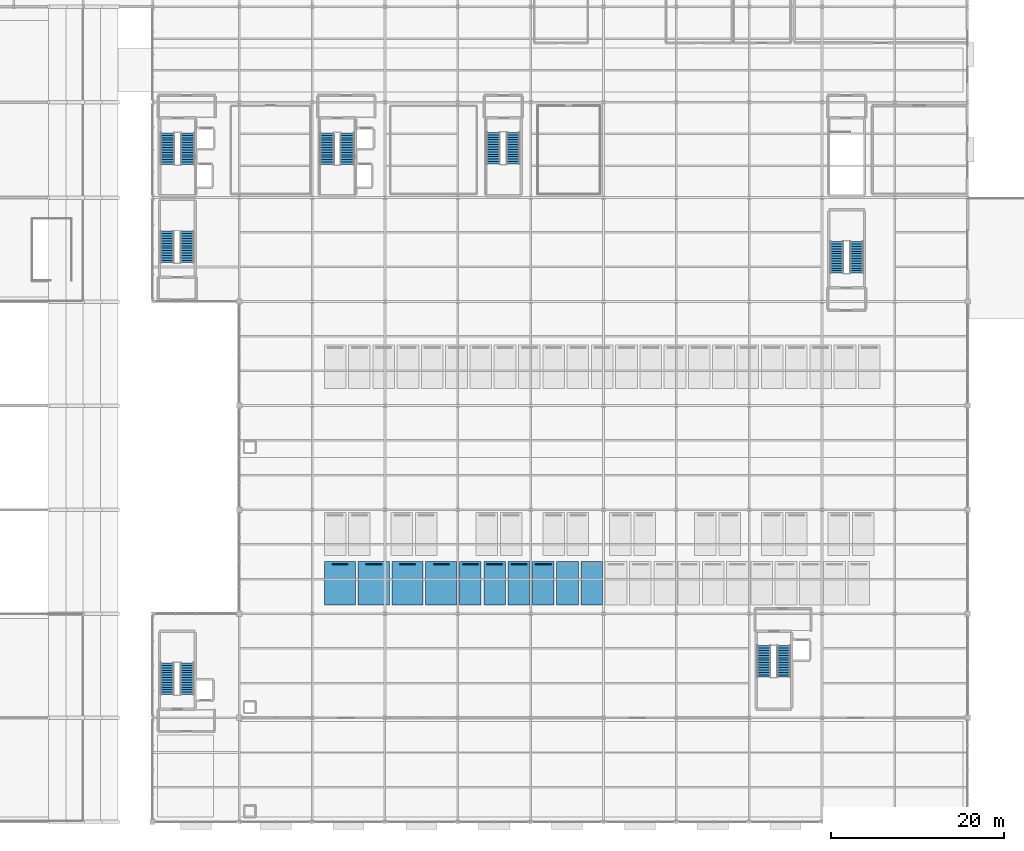
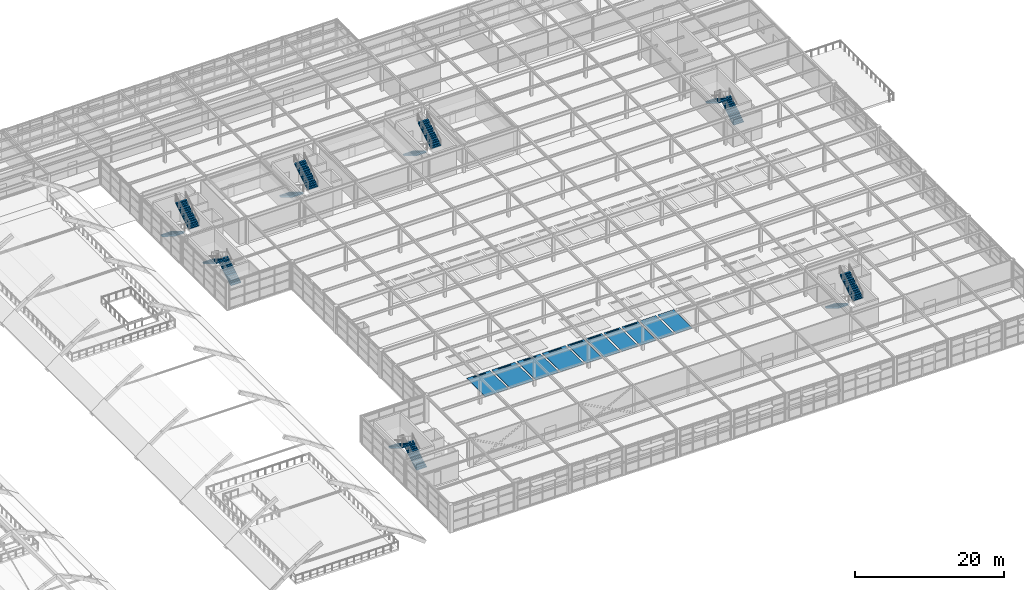
# One storey, part 69 of 82: 18 discrete accessories, 14 stair flights, 7 elements without a shape of their own.
"""IFC4 building model written with IfcOpenShell, lengths in metres."""

from ifc_helpers import new_model, si_unit, direction, frame, origin, origin_2d, place, context, subcontext, project, spatial, polyline, rectangle, outline, extrude, material, type_object, element, aggregate, save


model = new_model("IFC4")

# Units and contexts
model_context = context("Model", 3, precision=1e-05, world=origin(), true_north=direction((0.0, 1.0)))
body_context = subcontext(model_context, "Body", "Model", "MODEL_VIEW")
ifc_project = project(units=[si_unit("LENGTHUNIT", "METRE"), si_unit("AREAUNIT", "SQUARE_METRE"), si_unit("VOLUMEUNIT", "CUBIC_METRE"), si_unit("PLANEANGLEUNIT", "RADIAN"), si_unit("MASSUNIT", "GRAM", prefix="KILO")], contexts=[model_context])

# Site, building, storey
site_placement = place(None, origin())
site = spatial("IfcSite", under=ifc_project, at=site_placement, CompositionType="ELEMENT")
building_placement = place(site_placement, origin())
building = spatial("IfcBuilding", under=site, at=building_placement, Name="Sitalva Quay Ferry Terminal", CompositionType="ELEMENT")
storey_placement = place(building_placement, frame((0.0, 0.0, 5.39990234375)))
storey = spatial("IfcBuildingStorey", under=building, at=storey_placement, Name="L02", CompositionType="ELEMENT", Elevation=5.39990234375)

# Stair, stair flights
ifc_material_1 = material(Name="Concrete C35/45", Category="concrete")
stair_type_1 = type_object("IfcStairType", Name="Stair_CoreDogLeg_1400", PredefinedType="HALF_TURN_STAIR", material=ifc_material_1)
stair_1_placement = place(storey_placement, origin())
stair_1 = element("IfcStair", 1, at=stair_1_placement, inside=storey, type_object=stair_type_1, Name="L02 Core C4 stair ST-04", PredefinedType="HALF_TURN_STAIR")
ifc_material_2 = material(Name="Concrete C35/45", Category="concrete")
stair_flight_type_1 = type_object("IfcStairFlightType", Name="Stair_CoreDogLeg_1400_Flight", PredefinedType="STRAIGHT", material=ifc_material_2)
stair_flight_1_placement = place(storey_placement, frame((113.31005859375, 85.510009765625, 0.0), z_axis=(0.0, 0.0, 1.0), x_axis=(0.0, -1.0, 0.0)))
stair_flight_1 = element("IfcStairFlight", 2, at=stair_flight_1_placement, type_object=stair_flight_type_1, Name="ST-04 flight 1", NumberOfRisers=14, NumberOfTreads=13, PredefinedType="STRAIGHT", RiserHeight=0.171428571, TreadLength=0.28, context=body_context, shape_type="SweptSolid", body=[
    extrude(outline(polyline([(0.0, 0.0), (0.0, 0.17138671875), (0.280029296875, 0.17138671875), (0.280029296875, 0.3427734375), (0.56005859375, 0.3427734375), (0.56005859375, 0.514404296875), (0.840087890625, 0.514404296875), (0.840087890625, 0.685791015625), (1.1201171875, 0.685791015625), (1.1201171875, 0.857177734375), (1.39990234375, 0.857177734375), (1.39990234375, 1.028564453125), (1.679931640625, 1.028564453125), (1.679931640625, 1.199951171875), (1.9599609375, 1.199951171875), (1.9599609375, 1.371337890625), (2.239990234375, 1.371337890625), (2.239990234375, 1.54296875), (2.52001953125, 1.54296875), (2.52001953125, 1.71435546875), (2.800048828125, 1.71435546875), (2.800048828125, 1.8857421875), (3.080078125, 1.8857421875), (3.080078125, 2.05712890625), (3.360107421875, 2.05712890625), (3.360107421875, 2.228515625), (3.639892578125, 2.228515625), (3.639892578125, 2.39990234375), (3.639892578125, 2.017578125), (3.404541015625, 1.87353515625), (3.169189453125, 1.729248046875), (2.933837890625, 1.585205078125), (2.698486328125, 1.441162109375), (2.463134765625, 1.297119140625), (2.227783203125, 1.15283203125), (1.9921875, 1.0087890625), (1.7568359375, 0.86474609375), (1.521484375, 0.720458984375), (1.2861328125, 0.576416015625), (1.05078125, 0.432373046875), (0.8154296875, 0.288330078125), (0.580078125, 0.14404296875), (0.344482421875, 0.0), (0.0, 0.0)])), frame((0.0, 0.780029296875, 0.0), z_axis=(0.0, -1.0, 0.0), x_axis=(1.0, 0.0, 0.0)), (0.0, 0.0, 1.0), 1.56005859375),
])
stair_flight_2_placement = place(storey_placement, frame((115.590087890625, 81.8701171875, 2.400146484375), z_axis=(0.0, 0.0, 1.0), x_axis=(0.0, 1.0, 0.0)))
stair_flight_2 = element("IfcStairFlight", 3, at=stair_flight_2_placement, type_object=stair_flight_type_1, Name="ST-04 flight 2", NumberOfRisers=14, NumberOfTreads=13, PredefinedType="STRAIGHT", RiserHeight=0.171428571, TreadLength=0.28, context=body_context, shape_type="SweptSolid", body=[
    extrude(outline(polyline([(0.0, 0.0), (0.0, 0.17138671875), (0.280029296875, 0.17138671875), (0.280029296875, 0.3427734375), (0.56005859375, 0.3427734375), (0.56005859375, 0.514404296875), (0.840087890625, 0.514404296875), (0.840087890625, 0.685791015625), (1.1201171875, 0.685791015625), (1.1201171875, 0.857177734375), (1.39990234375, 0.857177734375), (1.39990234375, 1.028564453125), (1.679931640625, 1.028564453125), (1.679931640625, 1.199951171875), (1.9599609375, 1.199951171875), (1.9599609375, 1.371337890625), (2.239990234375, 1.371337890625), (2.239990234375, 1.54296875), (2.52001953125, 1.54296875), (2.52001953125, 1.71435546875), (2.800048828125, 1.71435546875), (2.800048828125, 1.8857421875), (3.080078125, 1.8857421875), (3.080078125, 2.05712890625), (3.360107421875, 2.05712890625), (3.360107421875, 2.228515625), (3.639892578125, 2.228515625), (3.639892578125, 2.39990234375), (3.639892578125, 2.017578125), (3.404541015625, 1.87353515625), (3.169189453125, 1.729248046875), (2.933837890625, 1.585205078125), (2.698486328125, 1.441162109375), (2.463134765625, 1.297119140625), (2.227783203125, 1.15283203125), (1.9921875, 1.0087890625), (1.7568359375, 0.86474609375), (1.521484375, 0.720458984375), (1.2861328125, 0.576416015625), (1.05078125, 0.432373046875), (0.8154296875, 0.288330078125), (0.580078125, 0.14404296875), (0.344482421875, 0.0), (0.0, 0.0)])), frame((0.0, 0.780029296875, 0.0), z_axis=(0.0, -1.0, 0.0), x_axis=(1.0, 0.0, 0.0)), (0.0, 0.0, 1.0), 1.56005859375),
])
aggregate(stair_1, [stair_flight_1, stair_flight_2])

stair_2_placement = place(storey_placement, origin())
stair_2 = element("IfcStair", 4, at=stair_2_placement, inside=storey, type_object=stair_type_1, Name="L02 Core C6 stair ST-06", PredefinedType="HALF_TURN_STAIR")
stair_flight_3_placement = place(storey_placement, frame((78.0, 20.679931640625, 0.0), z_axis=(0.0, 0.0, 1.0), x_axis=(0.0, 1.0, 0.0)))
stair_flight_3 = element("IfcStairFlight", 5, at=stair_flight_3_placement, type_object=stair_flight_type_1, Name="ST-06 flight 1", NumberOfRisers=14, NumberOfTreads=13, PredefinedType="STRAIGHT", RiserHeight=0.171428571, TreadLength=0.28, context=body_context, shape_type="SweptSolid", body=[
    extrude(outline(polyline([(0.0, 0.0), (0.0, 0.17138671875), (0.280029296875, 0.17138671875), (0.280029296875, 0.3427734375), (0.56005859375, 0.3427734375), (0.56005859375, 0.514404296875), (0.840087890625, 0.514404296875), (0.840087890625, 0.685791015625), (1.1201171875, 0.685791015625), (1.1201171875, 0.857177734375), (1.39990234375, 0.857177734375), (1.39990234375, 1.028564453125), (1.679931640625, 1.028564453125), (1.679931640625, 1.199951171875), (1.9599609375, 1.199951171875), (1.9599609375, 1.371337890625), (2.239990234375, 1.371337890625), (2.239990234375, 1.54296875), (2.52001953125, 1.54296875), (2.52001953125, 1.71435546875), (2.800048828125, 1.71435546875), (2.800048828125, 1.8857421875), (3.080078125, 1.8857421875), (3.080078125, 2.05712890625), (3.360107421875, 2.05712890625), (3.360107421875, 2.228515625), (3.639892578125, 2.228515625), (3.639892578125, 2.39990234375), (3.639892578125, 2.017578125), (3.404541015625, 1.87353515625), (3.169189453125, 1.729248046875), (2.933837890625, 1.585205078125), (2.698486328125, 1.441162109375), (2.463134765625, 1.297119140625), (2.227783203125, 1.15283203125), (1.9921875, 1.0087890625), (1.7568359375, 0.86474609375), (1.521484375, 0.720458984375), (1.2861328125, 0.576416015625), (1.05078125, 0.432373046875), (0.8154296875, 0.288330078125), (0.580078125, 0.14404296875), (0.344482421875, 0.0), (0.0, 0.0)])), frame((0.0, 0.780029296875, 0.0), z_axis=(0.0, -1.0, 0.0), x_axis=(1.0, 0.0, 0.0)), (0.0, 0.0, 1.0), 1.56005859375),
])
stair_flight_4_placement = place(storey_placement, frame((75.699951171875, 24.320068359375, 2.400146484375), z_axis=(0.0, 0.0, 1.0), x_axis=(0.0, -1.0, 0.0)))
stair_flight_4 = element("IfcStairFlight", 6, at=stair_flight_4_placement, type_object=stair_flight_type_1, Name="ST-06 flight 2", NumberOfRisers=14, NumberOfTreads=13, PredefinedType="STRAIGHT", RiserHeight=0.171428571, TreadLength=0.28, context=body_context, shape_type="SweptSolid", body=[
    extrude(outline(polyline([(0.0, 0.0), (0.0, 0.17138671875), (0.280029296875, 0.17138671875), (0.280029296875, 0.3427734375), (0.56005859375, 0.3427734375), (0.56005859375, 0.514404296875), (0.840087890625, 0.514404296875), (0.840087890625, 0.685791015625), (1.1201171875, 0.685791015625), (1.1201171875, 0.857177734375), (1.39990234375, 0.857177734375), (1.39990234375, 1.028564453125), (1.679931640625, 1.028564453125), (1.679931640625, 1.199951171875), (1.9599609375, 1.199951171875), (1.9599609375, 1.371337890625), (2.239990234375, 1.371337890625), (2.239990234375, 1.54296875), (2.52001953125, 1.54296875), (2.52001953125, 1.71435546875), (2.800048828125, 1.71435546875), (2.800048828125, 1.8857421875), (3.080078125, 1.8857421875), (3.080078125, 2.05712890625), (3.360107421875, 2.05712890625), (3.360107421875, 2.228515625), (3.639892578125, 2.228515625), (3.639892578125, 2.39990234375), (3.639892578125, 2.017578125), (3.404541015625, 1.87353515625), (3.169189453125, 1.729248046875), (2.933837890625, 1.585205078125), (2.698486328125, 1.441162109375), (2.463134765625, 1.297119140625), (2.227783203125, 1.15283203125), (1.9921875, 1.0087890625), (1.7568359375, 0.86474609375), (1.521484375, 0.720458984375), (1.2861328125, 0.576416015625), (1.05078125, 0.432373046875), (0.8154296875, 0.288330078125), (0.580078125, 0.14404296875), (0.344482421875, 0.0), (0.0, 0.0)])), frame((0.0, 0.780029296875, 0.0), z_axis=(0.0, -1.0, 0.0), x_axis=(1.0, 0.0, 0.0)), (0.0, 0.0, 1.0), 1.56005859375),
])
aggregate(stair_2, [stair_flight_3, stair_flight_4])

stair_3_placement = place(storey_placement, origin())
stair_3 = element("IfcStair", 7, at=stair_3_placement, inside=storey, type_object=stair_type_1, Name="L02 Core C8 stair ST-08", PredefinedType="HALF_TURN_STAIR")
stair_flight_5_placement = place(storey_placement, frame((144.5, 26.320068359375, 0.0), z_axis=(0.0, 0.0, 1.0), x_axis=(0.0, -1.0, 0.0)))
stair_flight_5 = element("IfcStairFlight", 8, at=stair_flight_5_placement, type_object=stair_flight_type_1, Name="ST-08 flight 1", NumberOfRisers=14, NumberOfTreads=13, PredefinedType="STRAIGHT", RiserHeight=0.171428571, TreadLength=0.28, context=body_context, shape_type="SweptSolid", body=[
    extrude(outline(polyline([(0.0, 0.0), (0.0, 0.17138671875), (0.280029296875, 0.17138671875), (0.280029296875, 0.3427734375), (0.56005859375, 0.3427734375), (0.56005859375, 0.514404296875), (0.840087890625, 0.514404296875), (0.840087890625, 0.685791015625), (1.1201171875, 0.685791015625), (1.1201171875, 0.857177734375), (1.39990234375, 0.857177734375), (1.39990234375, 1.028564453125), (1.679931640625, 1.028564453125), (1.679931640625, 1.199951171875), (1.9599609375, 1.199951171875), (1.9599609375, 1.371337890625), (2.239990234375, 1.371337890625), (2.239990234375, 1.54296875), (2.52001953125, 1.54296875), (2.52001953125, 1.71435546875), (2.800048828125, 1.71435546875), (2.800048828125, 1.8857421875), (3.080078125, 1.8857421875), (3.080078125, 2.05712890625), (3.360107421875, 2.05712890625), (3.360107421875, 2.228515625), (3.639892578125, 2.228515625), (3.639892578125, 2.39990234375), (3.639892578125, 2.017578125), (3.404541015625, 1.87353515625), (3.169189453125, 1.729248046875), (2.933837890625, 1.585205078125), (2.698486328125, 1.441162109375), (2.463134765625, 1.297119140625), (2.227783203125, 1.15283203125), (1.9921875, 1.0087890625), (1.7568359375, 0.86474609375), (1.521484375, 0.720458984375), (1.2861328125, 0.576416015625), (1.05078125, 0.432373046875), (0.8154296875, 0.288330078125), (0.580078125, 0.14404296875), (0.344482421875, 0.0), (0.0, 0.0)])), frame((0.0, 0.780029296875, 0.0), z_axis=(0.0, -1.0, 0.0), x_axis=(1.0, 0.0, 0.0)), (0.0, 0.0, 1.0), 1.56005859375),
])
stair_flight_6_placement = place(storey_placement, frame((146.800048828125, 22.679931640625, 2.400146484375), z_axis=(0.0, 0.0, 1.0), x_axis=(0.0, 1.0, 0.0)))
stair_flight_6 = element("IfcStairFlight", 9, at=stair_flight_6_placement, type_object=stair_flight_type_1, Name="ST-08 flight 2", NumberOfRisers=14, NumberOfTreads=13, PredefinedType="STRAIGHT", RiserHeight=0.171428571, TreadLength=0.28, context=body_context, shape_type="SweptSolid", body=[
    extrude(outline(polyline([(0.0, 0.0), (0.0, 0.17138671875), (0.280029296875, 0.17138671875), (0.280029296875, 0.3427734375), (0.56005859375, 0.3427734375), (0.56005859375, 0.514404296875), (0.840087890625, 0.514404296875), (0.840087890625, 0.685791015625), (1.1201171875, 0.685791015625), (1.1201171875, 0.857177734375), (1.39990234375, 0.857177734375), (1.39990234375, 1.028564453125), (1.679931640625, 1.028564453125), (1.679931640625, 1.199951171875), (1.9599609375, 1.199951171875), (1.9599609375, 1.371337890625), (2.239990234375, 1.371337890625), (2.239990234375, 1.54296875), (2.52001953125, 1.54296875), (2.52001953125, 1.71435546875), (2.800048828125, 1.71435546875), (2.800048828125, 1.8857421875), (3.080078125, 1.8857421875), (3.080078125, 2.05712890625), (3.360107421875, 2.05712890625), (3.360107421875, 2.228515625), (3.639892578125, 2.228515625), (3.639892578125, 2.39990234375), (3.639892578125, 2.017578125), (3.404541015625, 1.87353515625), (3.169189453125, 1.729248046875), (2.933837890625, 1.585205078125), (2.698486328125, 1.441162109375), (2.463134765625, 1.297119140625), (2.227783203125, 1.15283203125), (1.9921875, 1.0087890625), (1.7568359375, 0.86474609375), (1.521484375, 0.720458984375), (1.2861328125, 0.576416015625), (1.05078125, 0.432373046875), (0.8154296875, 0.288330078125), (0.580078125, 0.14404296875), (0.344482421875, 0.0), (0.0, 0.0)])), frame((0.0, 0.780029296875, 0.0), z_axis=(0.0, -1.0, 0.0), x_axis=(1.0, 0.0, 0.0)), (0.0, 0.0, 1.0), 1.56005859375),
])
aggregate(stair_3, [stair_flight_5, stair_flight_6])

stair_4_placement = place(storey_placement, origin())
stair_4 = element("IfcStair", 10, at=stair_4_placement, inside=storey, type_object=stair_type_1, Name="L02 Core C9 stair ST-09", PredefinedType="HALF_TURN_STAIR")
stair_flight_7_placement = place(storey_placement, frame((155.199951171875, 69.280029296875, 0.0), z_axis=(0.0, 0.0, 1.0), x_axis=(0.0, 1.0, 0.0)))
stair_flight_7 = element("IfcStairFlight", 11, at=stair_flight_7_placement, type_object=stair_flight_type_1, Name="ST-09 flight 1", NumberOfRisers=14, NumberOfTreads=13, PredefinedType="STRAIGHT", RiserHeight=0.171428571, TreadLength=0.28, context=body_context, shape_type="SweptSolid", body=[
    extrude(outline(polyline([(0.0, 0.0), (0.0, 0.17138671875), (0.280029296875, 0.17138671875), (0.280029296875, 0.3427734375), (0.56005859375, 0.3427734375), (0.56005859375, 0.514404296875), (0.840087890625, 0.514404296875), (0.840087890625, 0.685791015625), (1.1201171875, 0.685791015625), (1.1201171875, 0.857177734375), (1.39990234375, 0.857177734375), (1.39990234375, 1.028564453125), (1.679931640625, 1.028564453125), (1.679931640625, 1.199951171875), (1.9599609375, 1.199951171875), (1.9599609375, 1.371337890625), (2.239990234375, 1.371337890625), (2.239990234375, 1.54296875), (2.52001953125, 1.54296875), (2.52001953125, 1.71435546875), (2.800048828125, 1.71435546875), (2.800048828125, 1.8857421875), (3.080078125, 1.8857421875), (3.080078125, 2.05712890625), (3.360107421875, 2.05712890625), (3.360107421875, 2.228515625), (3.639892578125, 2.228515625), (3.639892578125, 2.39990234375), (3.639892578125, 2.017578125), (3.404541015625, 1.87353515625), (3.169189453125, 1.729248046875), (2.933837890625, 1.585205078125), (2.698486328125, 1.441162109375), (2.463134765625, 1.297119140625), (2.227783203125, 1.15283203125), (1.9921875, 1.0087890625), (1.7568359375, 0.86474609375), (1.521484375, 0.720458984375), (1.2861328125, 0.576416015625), (1.05078125, 0.432373046875), (0.8154296875, 0.288330078125), (0.580078125, 0.14404296875), (0.344482421875, 0.0), (0.0, 0.0)])), frame((0.0, 0.780029296875, 0.0), z_axis=(0.0, -1.0, 0.0), x_axis=(1.0, 0.0, 0.0)), (0.0, 0.0, 1.0), 1.56005859375),
])
stair_flight_8_placement = place(storey_placement, frame((152.89990234375, 72.919921875, 2.400146484375), z_axis=(0.0, 0.0, 1.0), x_axis=(0.0, -1.0, 0.0)))
stair_flight_8 = element("IfcStairFlight", 12, at=stair_flight_8_placement, type_object=stair_flight_type_1, Name="ST-09 flight 2", NumberOfRisers=14, NumberOfTreads=13, PredefinedType="STRAIGHT", RiserHeight=0.171428571, TreadLength=0.28, context=body_context, shape_type="SweptSolid", body=[
    extrude(outline(polyline([(0.0, 0.0), (0.0, 0.17138671875), (0.280029296875, 0.17138671875), (0.280029296875, 0.3427734375), (0.56005859375, 0.3427734375), (0.56005859375, 0.514404296875), (0.840087890625, 0.514404296875), (0.840087890625, 0.685791015625), (1.1201171875, 0.685791015625), (1.1201171875, 0.857177734375), (1.39990234375, 0.857177734375), (1.39990234375, 1.028564453125), (1.679931640625, 1.028564453125), (1.679931640625, 1.199951171875), (1.9599609375, 1.199951171875), (1.9599609375, 1.371337890625), (2.239990234375, 1.371337890625), (2.239990234375, 1.54296875), (2.52001953125, 1.54296875), (2.52001953125, 1.71435546875), (2.800048828125, 1.71435546875), (2.800048828125, 1.8857421875), (3.080078125, 1.8857421875), (3.080078125, 2.05712890625), (3.360107421875, 2.05712890625), (3.360107421875, 2.228515625), (3.639892578125, 2.228515625), (3.639892578125, 2.39990234375), (3.639892578125, 2.017578125), (3.404541015625, 1.87353515625), (3.169189453125, 1.729248046875), (2.933837890625, 1.585205078125), (2.698486328125, 1.441162109375), (2.463134765625, 1.297119140625), (2.227783203125, 1.15283203125), (1.9921875, 1.0087890625), (1.7568359375, 0.86474609375), (1.521484375, 0.720458984375), (1.2861328125, 0.576416015625), (1.05078125, 0.432373046875), (0.8154296875, 0.288330078125), (0.580078125, 0.14404296875), (0.344482421875, 0.0), (0.0, 0.0)])), frame((0.0, 0.780029296875, 0.0), z_axis=(0.0, -1.0, 0.0), x_axis=(1.0, 0.0, 0.0)), (0.0, 0.0, 1.0), 1.56005859375),
])
aggregate(stair_4, [stair_flight_7, stair_flight_8])

stair_5_placement = place(storey_placement, origin())
stair_5 = element("IfcStair", 13, at=stair_5_placement, inside=storey, type_object=stair_type_1, Name="L02 Core C11 stair ST-13", PredefinedType="HALF_TURN_STAIR")
stair_flight_9_placement = place(storey_placement, frame((78.0, 70.47998046875, 0.0), z_axis=(0.0, 0.0, 1.0), x_axis=(0.0, 1.0, 0.0)))
stair_flight_9 = element("IfcStairFlight", 14, at=stair_flight_9_placement, type_object=stair_flight_type_1, Name="ST-13 flight 1", NumberOfRisers=14, NumberOfTreads=13, PredefinedType="STRAIGHT", RiserHeight=0.171428571, TreadLength=0.28, context=body_context, shape_type="SweptSolid", body=[
    extrude(outline(polyline([(0.0, 0.0), (0.0, 0.17138671875), (0.280029296875, 0.17138671875), (0.280029296875, 0.3427734375), (0.56005859375, 0.3427734375), (0.56005859375, 0.514404296875), (0.840087890625, 0.514404296875), (0.840087890625, 0.685791015625), (1.1201171875, 0.685791015625), (1.1201171875, 0.857177734375), (1.39990234375, 0.857177734375), (1.39990234375, 1.028564453125), (1.679931640625, 1.028564453125), (1.679931640625, 1.199951171875), (1.9599609375, 1.199951171875), (1.9599609375, 1.371337890625), (2.239990234375, 1.371337890625), (2.239990234375, 1.54296875), (2.52001953125, 1.54296875), (2.52001953125, 1.71435546875), (2.800048828125, 1.71435546875), (2.800048828125, 1.8857421875), (3.080078125, 1.8857421875), (3.080078125, 2.05712890625), (3.360107421875, 2.05712890625), (3.360107421875, 2.228515625), (3.639892578125, 2.228515625), (3.639892578125, 2.39990234375), (3.639892578125, 2.017578125), (3.404541015625, 1.87353515625), (3.169189453125, 1.729248046875), (2.933837890625, 1.585205078125), (2.698486328125, 1.441162109375), (2.463134765625, 1.297119140625), (2.227783203125, 1.15283203125), (1.9921875, 1.0087890625), (1.7568359375, 0.86474609375), (1.521484375, 0.720458984375), (1.2861328125, 0.576416015625), (1.05078125, 0.432373046875), (0.8154296875, 0.288330078125), (0.580078125, 0.14404296875), (0.344482421875, 0.0), (0.0, 0.0)])), frame((0.0, 0.780029296875, 0.0), z_axis=(0.0, -1.0, 0.0), x_axis=(1.0, 0.0, 0.0)), (0.0, 0.0, 1.0), 1.56005859375),
])
stair_flight_10_placement = place(storey_placement, frame((75.699951171875, 74.1201171875, 2.400146484375), z_axis=(0.0, 0.0, 1.0), x_axis=(0.0, -1.0, 0.0)))
stair_flight_10 = element("IfcStairFlight", 15, at=stair_flight_10_placement, type_object=stair_flight_type_1, Name="ST-13 flight 2", NumberOfRisers=14, NumberOfTreads=13, PredefinedType="STRAIGHT", RiserHeight=0.171428571, TreadLength=0.28, context=body_context, shape_type="SweptSolid", body=[
    extrude(outline(polyline([(0.0, 0.0), (0.0, 0.17138671875), (0.280029296875, 0.17138671875), (0.280029296875, 0.3427734375), (0.56005859375, 0.3427734375), (0.56005859375, 0.514404296875), (0.840087890625, 0.514404296875), (0.840087890625, 0.685791015625), (1.1201171875, 0.685791015625), (1.1201171875, 0.857177734375), (1.39990234375, 0.857177734375), (1.39990234375, 1.028564453125), (1.679931640625, 1.028564453125), (1.679931640625, 1.199951171875), (1.9599609375, 1.199951171875), (1.9599609375, 1.371337890625), (2.239990234375, 1.371337890625), (2.239990234375, 1.54296875), (2.52001953125, 1.54296875), (2.52001953125, 1.71435546875), (2.800048828125, 1.71435546875), (2.800048828125, 1.8857421875), (3.080078125, 1.8857421875), (3.080078125, 2.05712890625), (3.360107421875, 2.05712890625), (3.360107421875, 2.228515625), (3.639892578125, 2.228515625), (3.639892578125, 2.39990234375), (3.639892578125, 2.017578125), (3.404541015625, 1.87353515625), (3.169189453125, 1.729248046875), (2.933837890625, 1.585205078125), (2.698486328125, 1.441162109375), (2.463134765625, 1.297119140625), (2.227783203125, 1.15283203125), (1.9921875, 1.0087890625), (1.7568359375, 0.86474609375), (1.521484375, 0.720458984375), (1.2861328125, 0.576416015625), (1.05078125, 0.432373046875), (0.8154296875, 0.288330078125), (0.580078125, 0.14404296875), (0.344482421875, 0.0), (0.0, 0.0)])), frame((0.0, 0.780029296875, 0.0), z_axis=(0.0, -1.0, 0.0), x_axis=(1.0, 0.0, 0.0)), (0.0, 0.0, 1.0), 1.56005859375),
])
aggregate(stair_5, [stair_flight_9, stair_flight_10])

ifc_material_3 = material(Name="Concrete C35/45", Category="concrete")
stair_type_2 = type_object("IfcStairType", Name="Stair_CoreDogLeg_1500", PredefinedType="HALF_TURN_STAIR", material=ifc_material_3)
stair_6_placement = place(storey_placement, origin())
stair_6 = element("IfcStair", 16, at=stair_6_placement, inside=storey, type_object=stair_type_2, Name="L02 Core C1 stair ST-01", PredefinedType="HALF_TURN_STAIR")
ifc_material_4 = material(Name="Concrete C35/45", Category="concrete")
stair_flight_type_2 = type_object("IfcStairFlightType", Name="Stair_CoreDogLeg_1500_Flight", PredefinedType="STRAIGHT", material=ifc_material_4)
stair_flight_11_placement = place(storey_placement, frame((75.739990234375, 85.449951171875, 0.0), z_axis=(0.0, 0.0, 1.0), x_axis=(0.0, -1.0, 0.0)))
stair_flight_11 = element("IfcStairFlight", 17, at=stair_flight_11_placement, type_object=stair_flight_type_2, Name="ST-01 flight 1", NumberOfRisers=14, NumberOfTreads=13, PredefinedType="STRAIGHT", RiserHeight=0.171428571, TreadLength=0.28, context=body_context, shape_type="SweptSolid", body=[
    extrude(outline(polyline([(0.0, 0.0), (0.0, 0.17138671875), (0.280029296875, 0.17138671875), (0.280029296875, 0.3427734375), (0.56005859375, 0.3427734375), (0.56005859375, 0.514404296875), (0.840087890625, 0.514404296875), (0.840087890625, 0.685791015625), (1.1201171875, 0.685791015625), (1.1201171875, 0.857177734375), (1.39990234375, 0.857177734375), (1.39990234375, 1.028564453125), (1.679931640625, 1.028564453125), (1.679931640625, 1.199951171875), (1.9599609375, 1.199951171875), (1.9599609375, 1.371337890625), (2.239990234375, 1.371337890625), (2.239990234375, 1.54296875), (2.52001953125, 1.54296875), (2.52001953125, 1.71435546875), (2.800048828125, 1.71435546875), (2.800048828125, 1.8857421875), (3.080078125, 1.8857421875), (3.080078125, 2.05712890625), (3.360107421875, 2.05712890625), (3.360107421875, 2.228515625), (3.639892578125, 2.228515625), (3.639892578125, 2.39990234375), (3.639892578125, 2.017578125), (3.404541015625, 1.87353515625), (3.169189453125, 1.729248046875), (2.933837890625, 1.585205078125), (2.698486328125, 1.441162109375), (2.463134765625, 1.297119140625), (2.227783203125, 1.15283203125), (1.9921875, 1.0087890625), (1.7568359375, 0.86474609375), (1.521484375, 0.720458984375), (1.2861328125, 0.576416015625), (1.05078125, 0.432373046875), (0.8154296875, 0.288330078125), (0.580078125, 0.14404296875), (0.344482421875, 0.0), (0.0, 0.0)])), frame((0.0, 0.81005859375, 0.0), z_axis=(0.0, -1.0, 0.0), x_axis=(1.0, 0.0, 0.0)), (0.0, 0.0, 1.0), 1.6201171875),
])
stair_flight_12_placement = place(storey_placement, frame((78.06005859375, 81.81005859375, 2.400146484375), z_axis=(0.0, 0.0, 1.0), x_axis=(0.0, 1.0, 0.0)))
stair_flight_12 = element("IfcStairFlight", 18, at=stair_flight_12_placement, type_object=stair_flight_type_2, Name="ST-01 flight 2", NumberOfRisers=14, NumberOfTreads=13, PredefinedType="STRAIGHT", RiserHeight=0.171428571, TreadLength=0.28, context=body_context, shape_type="SweptSolid", body=[
    extrude(outline(polyline([(0.0, 0.0), (0.0, 0.17138671875), (0.280029296875, 0.17138671875), (0.280029296875, 0.3427734375), (0.56005859375, 0.3427734375), (0.56005859375, 0.514404296875), (0.840087890625, 0.514404296875), (0.840087890625, 0.685791015625), (1.1201171875, 0.685791015625), (1.1201171875, 0.857177734375), (1.39990234375, 0.857177734375), (1.39990234375, 1.028564453125), (1.679931640625, 1.028564453125), (1.679931640625, 1.199951171875), (1.9599609375, 1.199951171875), (1.9599609375, 1.371337890625), (2.239990234375, 1.371337890625), (2.239990234375, 1.54296875), (2.52001953125, 1.54296875), (2.52001953125, 1.71435546875), (2.800048828125, 1.71435546875), (2.800048828125, 1.8857421875), (3.080078125, 1.8857421875), (3.080078125, 2.05712890625), (3.360107421875, 2.05712890625), (3.360107421875, 2.228515625), (3.639892578125, 2.228515625), (3.639892578125, 2.39990234375), (3.639892578125, 2.017578125), (3.404541015625, 1.87353515625), (3.169189453125, 1.729248046875), (2.933837890625, 1.585205078125), (2.698486328125, 1.441162109375), (2.463134765625, 1.297119140625), (2.227783203125, 1.15283203125), (1.9921875, 1.0087890625), (1.7568359375, 0.86474609375), (1.521484375, 0.720458984375), (1.2861328125, 0.576416015625), (1.05078125, 0.432373046875), (0.8154296875, 0.288330078125), (0.580078125, 0.14404296875), (0.344482421875, 0.0), (0.0, 0.0)])), frame((0.0, 0.81005859375, 0.0), z_axis=(0.0, -1.0, 0.0), x_axis=(1.0, 0.0, 0.0)), (0.0, 0.0, 1.0), 1.6201171875),
])
aggregate(stair_6, [stair_flight_11, stair_flight_12])

stair_7_placement = place(storey_placement, origin())
stair_7 = element("IfcStair", 19, at=stair_7_placement, inside=storey, type_object=stair_type_2, Name="L02 Core C2 stair ST-02", PredefinedType="HALF_TURN_STAIR")
stair_flight_13_placement = place(storey_placement, frame((94.139892578125, 85.449951171875, 0.0), z_axis=(0.0, 0.0, 1.0), x_axis=(0.0, -1.0, 0.0)))
stair_flight_13 = element("IfcStairFlight", 20, at=stair_flight_13_placement, type_object=stair_flight_type_2, Name="ST-02 flight 1", NumberOfRisers=14, NumberOfTreads=13, PredefinedType="STRAIGHT", RiserHeight=0.171428571, TreadLength=0.28, context=body_context, shape_type="SweptSolid", body=[
    extrude(outline(polyline([(0.0, 0.0), (0.0, 0.17138671875), (0.280029296875, 0.17138671875), (0.280029296875, 0.3427734375), (0.56005859375, 0.3427734375), (0.56005859375, 0.514404296875), (0.840087890625, 0.514404296875), (0.840087890625, 0.685791015625), (1.1201171875, 0.685791015625), (1.1201171875, 0.857177734375), (1.39990234375, 0.857177734375), (1.39990234375, 1.028564453125), (1.679931640625, 1.028564453125), (1.679931640625, 1.199951171875), (1.9599609375, 1.199951171875), (1.9599609375, 1.371337890625), (2.239990234375, 1.371337890625), (2.239990234375, 1.54296875), (2.52001953125, 1.54296875), (2.52001953125, 1.71435546875), (2.800048828125, 1.71435546875), (2.800048828125, 1.8857421875), (3.080078125, 1.8857421875), (3.080078125, 2.05712890625), (3.360107421875, 2.05712890625), (3.360107421875, 2.228515625), (3.639892578125, 2.228515625), (3.639892578125, 2.39990234375), (3.639892578125, 2.017578125), (3.404541015625, 1.87353515625), (3.169189453125, 1.729248046875), (2.933837890625, 1.585205078125), (2.698486328125, 1.441162109375), (2.463134765625, 1.297119140625), (2.227783203125, 1.15283203125), (1.9921875, 1.0087890625), (1.7568359375, 0.86474609375), (1.521484375, 0.720458984375), (1.2861328125, 0.576416015625), (1.05078125, 0.432373046875), (0.8154296875, 0.288330078125), (0.580078125, 0.14404296875), (0.344482421875, 0.0), (0.0, 0.0)])), frame((0.0, 0.81005859375, 0.0), z_axis=(0.0, -1.0, 0.0), x_axis=(1.0, 0.0, 0.0)), (0.0, 0.0, 1.0), 1.6201171875),
])
stair_flight_14_placement = place(storey_placement, frame((96.4599609375, 81.81005859375, 2.400146484375), z_axis=(0.0, 0.0, 1.0), x_axis=(0.0, 1.0, 0.0)))
stair_flight_14 = element("IfcStairFlight", 21, at=stair_flight_14_placement, type_object=stair_flight_type_2, Name="ST-02 flight 2", NumberOfRisers=14, NumberOfTreads=13, PredefinedType="STRAIGHT", RiserHeight=0.171428571, TreadLength=0.28, context=body_context, shape_type="SweptSolid", body=[
    extrude(outline(polyline([(0.0, 0.0), (0.0, 0.17138671875), (0.280029296875, 0.17138671875), (0.280029296875, 0.3427734375), (0.56005859375, 0.3427734375), (0.56005859375, 0.514404296875), (0.840087890625, 0.514404296875), (0.840087890625, 0.685791015625), (1.1201171875, 0.685791015625), (1.1201171875, 0.857177734375), (1.39990234375, 0.857177734375), (1.39990234375, 1.028564453125), (1.679931640625, 1.028564453125), (1.679931640625, 1.199951171875), (1.9599609375, 1.199951171875), (1.9599609375, 1.371337890625), (2.239990234375, 1.371337890625), (2.239990234375, 1.54296875), (2.52001953125, 1.54296875), (2.52001953125, 1.71435546875), (2.800048828125, 1.71435546875), (2.800048828125, 1.8857421875), (3.080078125, 1.8857421875), (3.080078125, 2.05712890625), (3.360107421875, 2.05712890625), (3.360107421875, 2.228515625), (3.639892578125, 2.228515625), (3.639892578125, 2.39990234375), (3.639892578125, 2.017578125), (3.404541015625, 1.87353515625), (3.169189453125, 1.729248046875), (2.933837890625, 1.585205078125), (2.698486328125, 1.441162109375), (2.463134765625, 1.297119140625), (2.227783203125, 1.15283203125), (1.9921875, 1.0087890625), (1.7568359375, 0.86474609375), (1.521484375, 0.720458984375), (1.2861328125, 0.576416015625), (1.05078125, 0.432373046875), (0.8154296875, 0.288330078125), (0.580078125, 0.14404296875), (0.344482421875, 0.0), (0.0, 0.0)])), frame((0.0, 0.81005859375, 0.0), z_axis=(0.0, -1.0, 0.0), x_axis=(1.0, 0.0, 0.0)), (0.0, 0.0, 1.0), 1.6201171875),
])
aggregate(stair_7, [stair_flight_13, stair_flight_14])

# Discrete accessories
ifc_material_5 = material(Name="Thermoplastic Deck Marking", Category="polymer")
discrete_accessory_type_1 = type_object("IfcDiscreteAccessoryType", Name="ParkingBay_Accessible_3600x5000", PredefinedType="USERDEFINED", material=ifc_material_5)
for number, where, z_axis, x_axis, name in (
    (22, (95.60009765625, 33.5, 0.0), (0.0, 0.0, 1.0), (1.0, 0.0, 0.0), "Accessible vehicle stall PKA-05"),
    (23, (99.5, 33.5, 0.0), (0.0, 0.0, 1.0), (1.0, 0.0, 0.0), "Accessible vehicle stall PKA-06"),
    (24, (103.39990234375, 33.5, 0.0), (0.0, 0.0, 1.0), (1.0, 0.0, 0.0), "Accessible vehicle stall PKA-07"),
    (25, (107.300048828125, 33.5, 0.0), (0.0, 0.0, 1.0), (1.0, 0.0, 0.0), "Accessible vehicle stall PKA-08"),
):
    element("IfcDiscreteAccessory", number, at=place(storey_placement, frame(where, z_axis=z_axis, x_axis=x_axis)), inside=storey, type_object=discrete_accessory_type_1, Name=name, ObjectType="PARKING_BAY", PredefinedType="USERDEFINED", context=body_context, shape_type="SweptSolid", body=[
        extrude(rectangle(XDim=3.60009765625, YDim=5.0, at=origin_2d()), origin(), (0.0, 0.0, 1.0), 0.02001953125),
    ])
ifc_material_6 = material(Name="Thermoplastic Deck Marking", Category="polymer")
discrete_accessory_type_2 = type_object("IfcDiscreteAccessoryType", Name="ParkingBay_Standard_2500x5000", PredefinedType="USERDEFINED", material=ifc_material_6)
for number, where, z_axis, x_axis, name in (
    (26, (110.64990234375, 33.5, 0.0), (0.0, 0.0, 1.0), (1.0, 0.0, 0.0), "Standard vehicle stall PKS-057"),
    (27, (113.449951171875, 33.5, 0.0), (0.0, 0.0, 1.0), (1.0, 0.0, 0.0), "Standard vehicle stall PKS-058"),
    (28, (116.25, 33.5, 0.0), (0.0, 0.0, 1.0), (1.0, 0.0, 0.0), "Standard vehicle stall PKS-059"),
    (29, (119.050048828125, 33.5, 0.0), (0.0, 0.0, 1.0), (1.0, 0.0, 0.0), "Standard vehicle stall PKS-060"),
    (30, (121.85009765625, 33.5, 0.0), (0.0, 0.0, 1.0), (1.0, 0.0, 0.0), "Standard vehicle stall PKS-061"),
    (31, (124.64990234375, 33.5, 0.0), (0.0, 0.0, 1.0), (1.0, 0.0, 0.0), "Standard vehicle stall PKS-062"),
):
    element("IfcDiscreteAccessory", number, at=place(storey_placement, frame(where, z_axis=z_axis, x_axis=x_axis)), inside=storey, type_object=discrete_accessory_type_2, Name=name, ObjectType="PARKING_BAY", PredefinedType="USERDEFINED", context=body_context, shape_type="SweptSolid", body=[
        extrude(rectangle(XDim=2.5, YDim=5.0, at=origin_2d()), origin(), (0.0, 0.0, 1.0), 0.02001953125),
    ])
ifc_material_7 = material(Name="Precast Concrete C35/45", Category="concrete")
discrete_accessory_type_3 = type_object("IfcDiscreteAccessoryType", Name="WheelStop_1800x150x100", PredefinedType="USERDEFINED", material=ifc_material_7)
for number, where, z_axis, x_axis, name in (
    (32, (95.60009765625, 35.699951171875, 0.0), (0.0, 0.0, 1.0), (1.0, 0.0, 0.0), "Precast wheel stop WS-061"),
    (33, (99.5, 35.699951171875, 0.0), (0.0, 0.0, 1.0), (1.0, 0.0, 0.0), "Precast wheel stop WS-062"),
    (34, (103.39990234375, 35.699951171875, 0.0), (0.0, 0.0, 1.0), (1.0, 0.0, 0.0), "Precast wheel stop WS-063"),
    (35, (107.300048828125, 35.699951171875, 0.0), (0.0, 0.0, 1.0), (1.0, 0.0, 0.0), "Precast wheel stop WS-064"),
    (36, (110.64990234375, 35.699951171875, 0.0), (0.0, 0.0, 1.0), (1.0, 0.0, 0.0), "Precast wheel stop WS-065"),
    (37, (113.449951171875, 35.699951171875, 0.0), (0.0, 0.0, 1.0), (1.0, 0.0, 0.0), "Precast wheel stop WS-066"),
    (38, (116.25, 35.699951171875, 0.0), (0.0, 0.0, 1.0), (1.0, 0.0, 0.0), "Precast wheel stop WS-067"),
    (39, (119.050048828125, 35.699951171875, 0.0), (0.0, 0.0, 1.0), (1.0, 0.0, 0.0), "Precast wheel stop WS-068"),
):
    element("IfcDiscreteAccessory", number, at=place(storey_placement, frame(where, z_axis=z_axis, x_axis=x_axis)), inside=storey, type_object=discrete_accessory_type_3, Name=name, ObjectType="WHEEL_STOP", PredefinedType="USERDEFINED", context=body_context, shape_type="SweptSolid", body=[
        extrude(rectangle(XDim=1.800048828125, YDim=0.14990234375, at=origin_2d()), origin(), (0.0, 0.0, 1.0), 0.10009765625),
    ])

save(model, "model.ifc")
